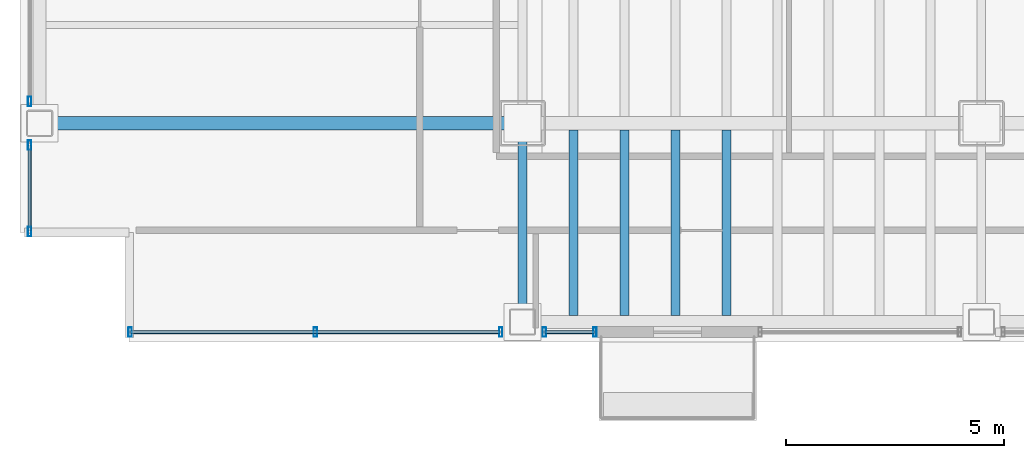
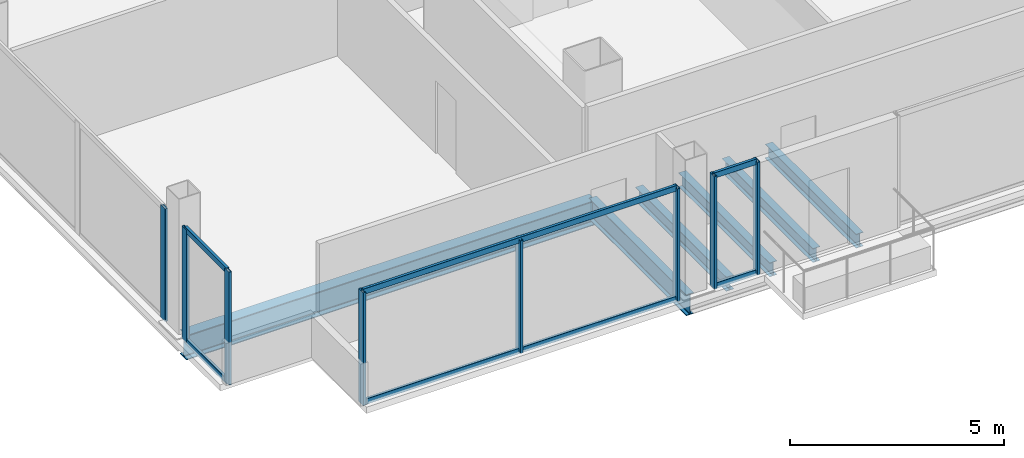
# One storey, part 2 of 21: 14 members, 6 beams, 4 elements without a shape of their own.
"""IFC4 building model written with IfcOpenShell, lengths in metres."""

from ifc_helpers import new_model, si_unit, direction, frame, origin, origin_2d, place, context, subcontext, project, spatial, hollow_rectangle, i_section, extrude, material, material_profile, profile_set, type_object, element, aggregate, save


model = new_model("IFC4")

# Units and contexts
model_context = context("Model", 3, precision=1e-05, world=origin(), true_north=direction((0.0, 1.0)))
body_context = subcontext(model_context, "Body", "Model", "MODEL_VIEW")
ifc_project = project(units=[si_unit("LENGTHUNIT", "METRE"), si_unit("AREAUNIT", "SQUARE_METRE"), si_unit("VOLUMEUNIT", "CUBIC_METRE"), si_unit("PLANEANGLEUNIT", "RADIAN"), si_unit("MASSUNIT", "GRAM", prefix="KILO")], contexts=[model_context])

# Site, building, storey
site_placement = place(None, origin())
site = spatial("IfcSite", under=ifc_project, at=site_placement, CompositionType="ELEMENT")
building_placement = place(site_placement, origin())
building = spatial("IfcBuilding", under=site, at=building_placement, Name="Noeulbin Bourse Tower", CompositionType="ELEMENT")
storey_placement = place(building_placement, frame((0.0, 0.0, 38.199951171875)))
storey = spatial("IfcBuildingStorey", under=building, at=storey_placement, Name="L09", CompositionType="ELEMENT", Elevation=38.199951171875)

# Beams
ifc_material_1 = material(Name="Steel S355", Category="steel")
ifc_material_profile_1 = material_profile(ifc_material_1, i_section(OverallWidth=0.199951171875, OverallDepth=0.60009765625, WebThickness=0.010986328125, FlangeThickness=0.01708984375, FilletRadius=0.02197265625, at=origin_2d()), Name="H-600x200x11x17", Category="LoadBearing")
ifc_profile_set_1 = profile_set([ifc_material_profile_1], Name="Steel S355")
beam_type_1 = type_object("IfcBeamType", Name="BM-GRD-600", PredefinedType="USERDEFINED", material=ifc_profile_set_1)
beam_1_placement = place(storey_placement, frame((13.5, 15.449951171875, -0.47998046875), z_axis=(0.0, 1.0, 0.0), x_axis=(-1.0, 0.0, 0.0)))
element("IfcBeam", 1, at=beam_1_placement, inside=storey, type_object=beam_type_1, Name="Tower Primary Girder NS L09-1.1", ObjectType="GIRDER", PredefinedType="USERDEFINED", context=body_context, shape_type="SweptSolid", body=[
    extrude(i_section(OverallWidth=0.199951171875, OverallDepth=0.60009765625, WebThickness=0.010986328125, FlangeThickness=0.01708984375, FilletRadius=0.02197265625, at=origin_2d()), origin(), (0.0, 0.0, 1.0), 4.550048828125),
])
ifc_material_profile_2 = material_profile(ifc_material_1, i_section(OverallWidth=0.300048828125, OverallDepth=0.699951171875, WebThickness=0.012939453125, FlangeThickness=0.02392578125, FilletRadius=0.02392578125, at=origin_2d()), Name="H-700x300x13x24", Category="LoadBearing")
ifc_profile_set_2 = profile_set([ifc_material_profile_2], Name="Steel S355")
beam_type_2 = type_object("IfcBeamType", Name="BM-GRD-700", PredefinedType="USERDEFINED", material=ifc_profile_set_2)
beam_2_placement = place(storey_placement, frame((2.449951171875, 20.0, -0.530029296875), z_axis=(1.0, 0.0, 0.0), x_axis=(0.0, 1.0, 0.0)))
element("IfcBeam", 2, at=beam_2_placement, inside=storey, type_object=beam_type_2, Name="Tower Primary Girder EW L09-1.1", ObjectType="GIRDER", PredefinedType="USERDEFINED", context=body_context, shape_type="SweptSolid", body=[
    extrude(i_section(OverallWidth=0.300048828125, OverallDepth=0.699951171875, WebThickness=0.012939453125, FlangeThickness=0.02392578125, FilletRadius=0.02392578125, at=origin_2d()), origin(), (0.0, 0.0, 1.0), 11.050048828125),
])
ifc_material_profile_3 = material_profile(ifc_material_1, i_section(OverallWidth=0.199951171875, OverallDepth=0.39990234375, WebThickness=0.008056640625, FlangeThickness=0.012939453125, FilletRadius=0.01611328125, at=origin_2d()), Name="H-400x200x8x13", Category="LoadBearing")
ifc_profile_set_3 = profile_set([ifc_material_profile_3], Name="Steel S355")
beam_type_3 = type_object("IfcBeamType", Name="BM-SEC-400", PredefinedType="BEAM", material=ifc_profile_set_3)
for number, where, z_axis, x_axis, name in (
    (3, (14.666748046875, 15.60009765625, -0.3798828125), (0.0, 1.0, 0.0), (-1.0, 0.0, 0.0), "Tower Composite Joist L09-01"),
    (4, (15.833251953125, 15.60009765625, -0.3798828125), (0.0, 1.0, 0.0), (-1.0, 0.0, 0.0), "Tower Composite Joist L09-04"),
    (5, (17.0, 15.60009765625, -0.3798828125), (0.0, 1.0, 0.0), (-1.0, 0.0, 0.0), "Tower Composite Joist L09-07"),
    (6, (18.166748046875, 15.60009765625, -0.3798828125), (0.0, 1.0, 0.0), (-1.0, 0.0, 0.0), "Tower Composite Joist L09-10"),
):
    element("IfcBeam", number, at=place(storey_placement, frame(where, z_axis=z_axis, x_axis=x_axis)), inside=storey, type_object=beam_type_3, Name=name, PredefinedType="BEAM", context=body_context, shape_type="SweptSolid", body=[
        extrude(i_section(OverallWidth=0.199951171875, OverallDepth=0.39990234375, WebThickness=0.008056640625, FlangeThickness=0.012939453125, FilletRadius=0.01611328125, at=origin_2d()), origin(), (0.0, 0.0, 1.0), 4.25),
    ])

# Curtain wall, members
ifc_material_2 = material(Name="Dark Solar-Control Double Glazing", Category="glass")
curtain_wall_type = type_object("IfcCurtainWallType", Name="CW-SYS-2", PredefinedType="NOTDEFINED", material=ifc_material_2)
curtain_wall_1_placement = place(storey_placement, origin())
curtain_wall_1 = element("IfcCurtainWall", 7, at=curtain_wall_1_placement, inside=storey, type_object=curtain_wall_type, Name="Unitised Curtain Wall CW-L09-S1-S1", PredefinedType="NOTDEFINED")
ifc_material_3 = material(Name="Anodised Aluminium 6063-T6", Category="aluminium")
ifc_material_profile_4 = material_profile(ifc_material_3, hollow_rectangle(XDim=0.074951171875, YDim=0.219970703125, WallThickness=0.0048828125, InnerFilletRadius=0.00244140625, OuterFilletRadius=0.0048828125, at=origin_2d()), Name="ALU-MULL-75x220x5", Category="LoadBearing")
ifc_profile_set_4 = profile_set([ifc_material_profile_4], Name="Anodised Aluminium 6063-T6")
member_type_1 = type_object("IfcMemberType", Name="CW-SYS-2-MUL", PredefinedType="MULLION", material=ifc_profile_set_4)
member_1_placement = place(storey_placement, frame((4.52001953125, 15.219970703125, -0.02001953125), z_axis=(0.0, 0.0, 1.0), x_axis=(1.0, 0.0, 0.0)))
member_1 = element("IfcMember", 8, at=member_1_placement, type_object=member_type_1, Name="Curtain Wall Mullion CW-L09-S1-S1-M00", PredefinedType="MULLION", context=body_context, shape_type="SweptSolid", body=[
    extrude(hollow_rectangle(XDim=0.074951171875, YDim=0.219970703125, WallThickness=0.0048828125, InnerFilletRadius=0.00244140625, OuterFilletRadius=0.0048828125, at=origin_2d()), origin(), (0.0, 0.0, 1.0), 3.219970703125),
])
member_2_placement = place(storey_placement, frame((8.760009765625, 15.219970703125, -0.02001953125), z_axis=(0.0, 0.0, 1.0), x_axis=(1.0, 0.0, 0.0)))
member_2 = element("IfcMember", 9, at=member_2_placement, type_object=member_type_1, Name="Curtain Wall Mullion CW-L09-S1-S1-M01", PredefinedType="MULLION", context=body_context, shape_type="SweptSolid", body=[
    extrude(hollow_rectangle(XDim=0.074951171875, YDim=0.219970703125, WallThickness=0.0048828125, InnerFilletRadius=0.00244140625, OuterFilletRadius=0.0048828125, at=origin_2d()), origin(), (0.0, 0.0, 1.0), 3.219970703125),
])
member_3_placement = place(storey_placement, frame((13.0, 15.219970703125, -0.02001953125), z_axis=(0.0, 0.0, 1.0), x_axis=(1.0, 0.0, 0.0)))
member_3 = element("IfcMember", 10, at=member_3_placement, type_object=member_type_1, Name="Curtain Wall Mullion CW-L09-S1-S1-M02", PredefinedType="MULLION", context=body_context, shape_type="SweptSolid", body=[
    extrude(hollow_rectangle(XDim=0.074951171875, YDim=0.219970703125, WallThickness=0.0048828125, InnerFilletRadius=0.00244140625, OuterFilletRadius=0.0048828125, at=origin_2d()), origin(), (0.0, 0.0, 1.0), 3.219970703125),
])

curtain_wall_2_placement = place(storey_placement, origin())
curtain_wall_2 = element("IfcCurtainWall", 11, at=curtain_wall_2_placement, inside=storey, type_object=curtain_wall_type, Name="Unitised Curtain Wall CW-L09-S1-S2", PredefinedType="NOTDEFINED")
member_4_placement = place(storey_placement, frame((14.0, 15.219970703125, -0.02001953125), z_axis=(0.0, 0.0, 1.0), x_axis=(1.0, 0.0, 0.0)))
member_4 = element("IfcMember", 12, at=member_4_placement, type_object=member_type_1, Name="Curtain Wall Mullion CW-L09-S1-S2-M00", PredefinedType="MULLION", context=body_context, shape_type="SweptSolid", body=[
    extrude(hollow_rectangle(XDim=0.074951171875, YDim=0.219970703125, WallThickness=0.0048828125, InnerFilletRadius=0.00244140625, OuterFilletRadius=0.0048828125, at=origin_2d()), origin(), (0.0, 0.0, 1.0), 3.219970703125),
])
member_5_placement = place(storey_placement, frame((15.159912109375, 15.219970703125, -0.02001953125), z_axis=(0.0, 0.0, 1.0), x_axis=(1.0, 0.0, 0.0)))
member_5 = element("IfcMember", 13, at=member_5_placement, type_object=member_type_1, Name="Curtain Wall Mullion CW-L09-S1-S2-M01", PredefinedType="MULLION", context=body_context, shape_type="SweptSolid", body=[
    extrude(hollow_rectangle(XDim=0.074951171875, YDim=0.219970703125, WallThickness=0.0048828125, InnerFilletRadius=0.00244140625, OuterFilletRadius=0.0048828125, at=origin_2d()), origin(), (0.0, 0.0, 1.0), 3.219970703125),
])

curtain_wall_3_placement = place(storey_placement, origin())
curtain_wall_3 = element("IfcCurtainWall", 14, at=curtain_wall_3_placement, inside=storey, type_object=curtain_wall_type, Name="Unitised Curtain Wall CW-L09-W-S1", PredefinedType="NOTDEFINED")
member_6_placement = place(storey_placement, frame((2.219970703125, 17.52001953125, -0.02001953125), z_axis=(0.0, 0.0, 1.0), x_axis=(1.0, 0.0, 0.0)))
member_6 = element("IfcMember", 15, at=member_6_placement, type_object=member_type_1, Name="Curtain Wall Mullion CW-L09-W-S1-M00", PredefinedType="MULLION", context=body_context, shape_type="SweptSolid", body=[
    extrude(hollow_rectangle(XDim=0.074951171875, YDim=0.219970703125, WallThickness=0.0048828125, InnerFilletRadius=0.00244140625, OuterFilletRadius=0.0048828125, at=origin_2d()), origin(), (0.0, 0.0, 1.0), 3.219970703125),
])
member_7_placement = place(storey_placement, frame((2.219970703125, 19.5, -0.02001953125), z_axis=(0.0, 0.0, 1.0), x_axis=(1.0, 0.0, 0.0)))
member_7 = element("IfcMember", 16, at=member_7_placement, type_object=member_type_1, Name="Curtain Wall Mullion CW-L09-W-S1-M01", PredefinedType="MULLION", context=body_context, shape_type="SweptSolid", body=[
    extrude(hollow_rectangle(XDim=0.074951171875, YDim=0.219970703125, WallThickness=0.0048828125, InnerFilletRadius=0.00244140625, OuterFilletRadius=0.0048828125, at=origin_2d()), origin(), (0.0, 0.0, 1.0), 3.219970703125),
])

# Curtain wall, member
curtain_wall_4_placement = place(storey_placement, origin())
curtain_wall_4 = element("IfcCurtainWall", 17, at=curtain_wall_4_placement, inside=storey, type_object=curtain_wall_type, Name="Unitised Curtain Wall CW-L09-W-S2", PredefinedType="NOTDEFINED")
member_8_placement = place(storey_placement, frame((2.219970703125, 20.5, -0.02001953125), z_axis=(0.0, 0.0, 1.0), x_axis=(1.0, 0.0, 0.0)))
member_8 = element("IfcMember", 18, at=member_8_placement, type_object=member_type_1, Name="Curtain Wall Mullion CW-L09-W-S2-M00", PredefinedType="MULLION", context=body_context, shape_type="SweptSolid", body=[
    extrude(hollow_rectangle(XDim=0.074951171875, YDim=0.219970703125, WallThickness=0.0048828125, InnerFilletRadius=0.00244140625, OuterFilletRadius=0.0048828125, at=origin_2d()), origin(), (0.0, 0.0, 1.0), 3.219970703125),
])
aggregate(curtain_wall_4, [member_8])

# Member
ifc_material_profile_5 = material_profile(ifc_material_3, hollow_rectangle(XDim=0.074951171875, YDim=0.159912109375, WallThickness=0.0048828125, InnerFilletRadius=0.00244140625, OuterFilletRadius=0.0048828125, at=origin_2d()), Name="ALU-TRAN-75x160x5", Category="LoadBearing")
ifc_profile_set_5 = profile_set([ifc_material_profile_5], Name="Anodised Aluminium 6063-T6")
member_type_2 = type_object("IfcMemberType", Name="CW-SYS-2-TRN", PredefinedType="USERDEFINED", material=ifc_profile_set_5)
member_9_placement = place(storey_placement, frame((4.530029296875, 15.219970703125, 0.010009765625), z_axis=(1.0, 0.0, 0.0), x_axis=(0.0, 1.0, 0.0)))
member_9 = element("IfcMember", 19, at=member_9_placement, type_object=member_type_2, Name="Curtain Wall Transom CW-L09-S1-S1-T00", ObjectType="TRANSOM", PredefinedType="USERDEFINED", context=body_context, shape_type="SweptSolid", body=[
    extrude(hollow_rectangle(XDim=0.074951171875, YDim=0.159912109375, WallThickness=0.0048828125, InnerFilletRadius=0.00244140625, OuterFilletRadius=0.0048828125, at=origin_2d()), origin(), (0.0, 0.0, 1.0), 8.4599609375),
])

member_10_placement = place(storey_placement, frame((4.530029296875, 15.219970703125, 3.170166015625), z_axis=(1.0, 0.0, 0.0), x_axis=(0.0, 1.0, 0.0)))
member_10 = element("IfcMember", 20, at=member_10_placement, type_object=member_type_2, Name="Curtain Wall Transom CW-L09-S1-S1-T01", ObjectType="TRANSOM", PredefinedType="USERDEFINED", context=body_context, shape_type="SweptSolid", body=[
    extrude(hollow_rectangle(XDim=0.074951171875, YDim=0.159912109375, WallThickness=0.0048828125, InnerFilletRadius=0.00244140625, OuterFilletRadius=0.0048828125, at=origin_2d()), origin(), (0.0, 0.0, 1.0), 8.4599609375),
])

aggregate(curtain_wall_1, [member_1, member_2, member_3, member_9, member_10])

member_11_placement = place(storey_placement, frame((14.010009765625, 15.219970703125, 0.010009765625), z_axis=(1.0, 0.0, 0.0), x_axis=(0.0, 1.0, 0.0)))
member_11 = element("IfcMember", 21, at=member_11_placement, type_object=member_type_2, Name="Curtain Wall Transom CW-L09-S1-S2-T00", ObjectType="TRANSOM", PredefinedType="USERDEFINED", context=body_context, shape_type="SweptSolid", body=[
    extrude(hollow_rectangle(XDim=0.074951171875, YDim=0.159912109375, WallThickness=0.0048828125, InnerFilletRadius=0.00244140625, OuterFilletRadius=0.0048828125, at=origin_2d()), origin(), (0.0, 0.0, 1.0), 1.139892578125),
])

member_12_placement = place(storey_placement, frame((14.010009765625, 15.219970703125, 3.170166015625), z_axis=(1.0, 0.0, 0.0), x_axis=(0.0, 1.0, 0.0)))
member_12 = element("IfcMember", 22, at=member_12_placement, type_object=member_type_2, Name="Curtain Wall Transom CW-L09-S1-S2-T01", ObjectType="TRANSOM", PredefinedType="USERDEFINED", context=body_context, shape_type="SweptSolid", body=[
    extrude(hollow_rectangle(XDim=0.074951171875, YDim=0.159912109375, WallThickness=0.0048828125, InnerFilletRadius=0.00244140625, OuterFilletRadius=0.0048828125, at=origin_2d()), origin(), (0.0, 0.0, 1.0), 1.139892578125),
])

aggregate(curtain_wall_2, [member_4, member_5, member_11, member_12])

member_13_placement = place(storey_placement, frame((2.219970703125, 17.530029296875, 0.010009765625), z_axis=(0.0, 1.0, 0.0), x_axis=(-1.0, 0.0, 0.0)))
member_13 = element("IfcMember", 23, at=member_13_placement, type_object=member_type_2, Name="Curtain Wall Transom CW-L09-W-S1-T00", ObjectType="TRANSOM", PredefinedType="USERDEFINED", context=body_context, shape_type="SweptSolid", body=[
    extrude(hollow_rectangle(XDim=0.074951171875, YDim=0.159912109375, WallThickness=0.0048828125, InnerFilletRadius=0.00244140625, OuterFilletRadius=0.0048828125, at=origin_2d()), origin(), (0.0, 0.0, 1.0), 1.9599609375),
])

member_14_placement = place(storey_placement, frame((2.219970703125, 17.530029296875, 3.170166015625), z_axis=(0.0, 1.0, 0.0), x_axis=(-1.0, 0.0, 0.0)))
member_14 = element("IfcMember", 24, at=member_14_placement, type_object=member_type_2, Name="Curtain Wall Transom CW-L09-W-S1-T01", ObjectType="TRANSOM", PredefinedType="USERDEFINED", context=body_context, shape_type="SweptSolid", body=[
    extrude(hollow_rectangle(XDim=0.074951171875, YDim=0.159912109375, WallThickness=0.0048828125, InnerFilletRadius=0.00244140625, OuterFilletRadius=0.0048828125, at=origin_2d()), origin(), (0.0, 0.0, 1.0), 1.9599609375),
])

aggregate(curtain_wall_3, [member_6, member_7, member_13, member_14])

save(model, "model.ifc")
